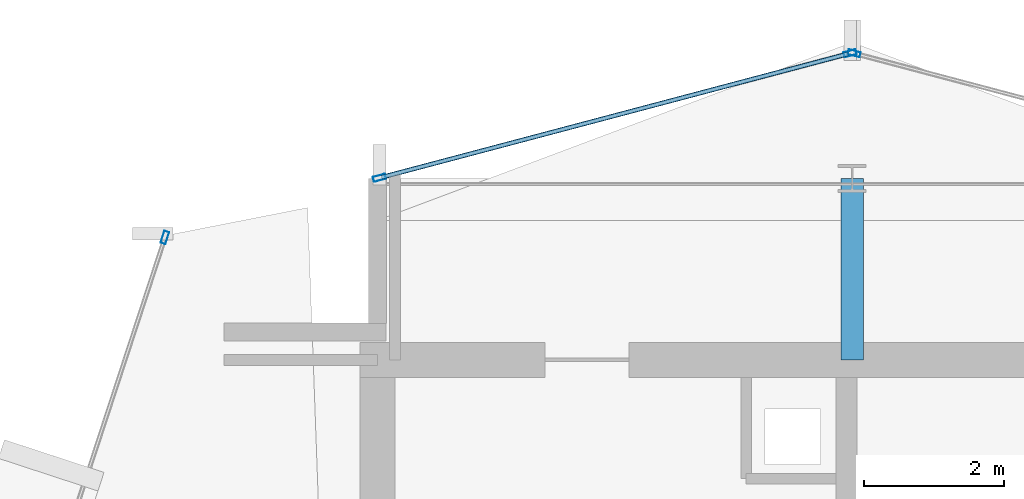
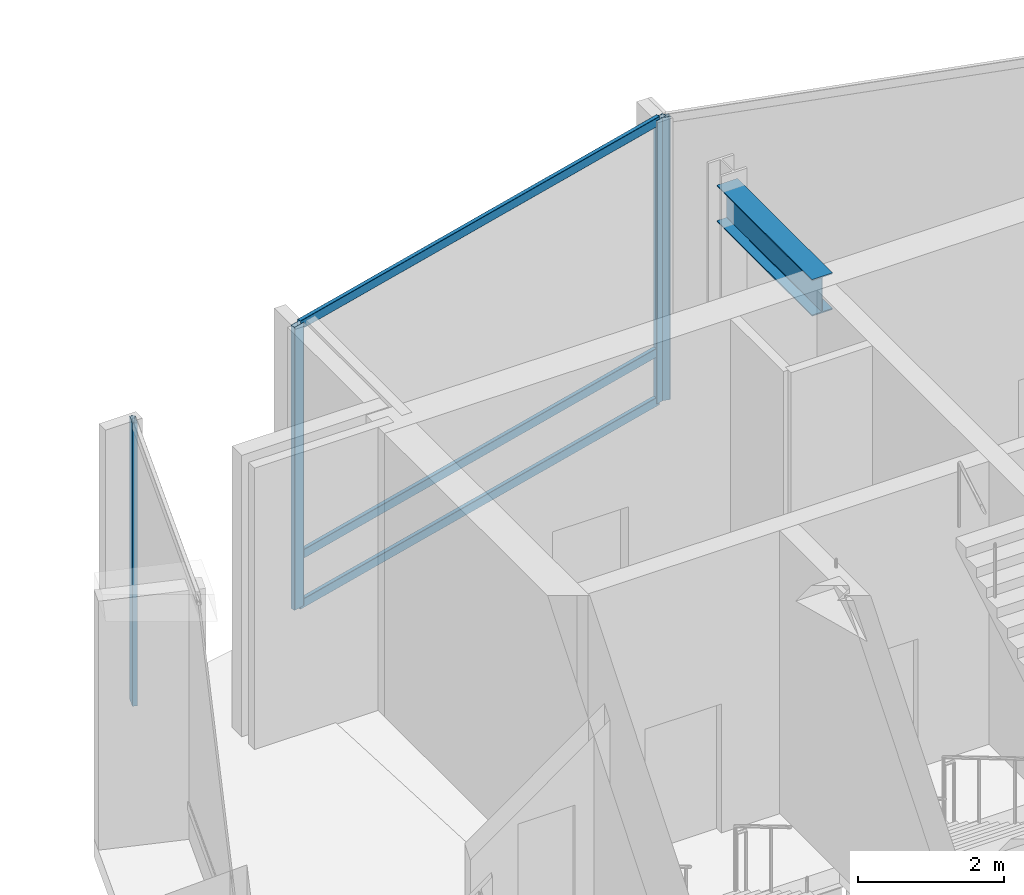
# One storey, part 16 of 28: 7 members, 1 beam, 3 elements without a shape of their own.
"""IFC4 building model written with IfcOpenShell, lengths in metres."""

from ifc_helpers import new_model, si_unit, direction, frame, origin, origin_2d, place, context, subcontext, project, spatial, hollow_rectangle, i_section, extrude, material, layer, layer_set, material_profile, profile_set, type_object, element, aggregate, save


model = new_model("IFC4")

# Units and contexts
model_context = context("Model", 3, precision=1e-05, world=origin(), true_north=direction((0.0, 1.0)))
body_context = subcontext(model_context, "Body", "Model", "MODEL_VIEW")
ifc_project = project(units=[si_unit("LENGTHUNIT", "METRE"), si_unit("AREAUNIT", "SQUARE_METRE"), si_unit("VOLUMEUNIT", "CUBIC_METRE"), si_unit("PLANEANGLEUNIT", "RADIAN"), si_unit("MASSUNIT", "GRAM", prefix="KILO")], contexts=[model_context])

# Site, building, storey
site_placement = place(None, origin())
site = spatial("IfcSite", under=ifc_project, at=site_placement, CompositionType="ELEMENT")
building_placement = place(site_placement, origin())
building = spatial("IfcBuilding", under=site, at=building_placement, Name="Solvaryn Broadcast Tower", CompositionType="ELEMENT")
storey_placement = place(building_placement, frame((0.0, 0.0, 201.199951171875)))
storey = spatial("IfcBuildingStorey", under=building, at=storey_placement, Name="L50", CompositionType="ELEMENT", Elevation=201.199951171875)

# Beam
ifc_material_1 = material(Name="Steel ASTM A992 Grade 50", Category="steel")
ifc_material_profile_1 = material_profile(ifc_material_1, i_section(OverallWidth=0.323974609375, OverallDepth=0.611083984375, WebThickness=0.0126953125, FlangeThickness=0.01904296875, FilletRadius=0.014892578125, at=origin_2d()))
ifc_profile_set_1 = profile_set([ifc_material_profile_1], Name="Steel ASTM A992 Grade 50")
beam_type = type_object("IfcBeamType", Name="BM-B1-W24X104", PredefinedType="BEAM", material=ifc_profile_set_1)
beam_placement = place(storey_placement, frame((18.0, 42.39990234375, 4.41455078125), z_axis=(0.0, 1.0, 0.0), x_axis=(-1.0, 0.0, 0.0)))
element("IfcBeam", 1, at=beam_placement, inside=storey, type_object=beam_type, Name="L50 Core Tie Beam CTW3", PredefinedType="BEAM", context=body_context, shape_type="SweptSolid", body=[
    extrude(i_section(OverallWidth=0.323974609375, OverallDepth=0.611083984375, WebThickness=0.0126953125, FlangeThickness=0.01904296875, FilletRadius=0.014892578125, at=origin_2d()), origin(), (0.0, 0.0, 1.0), 2.60009765625),
])

# Curtain wall, member
ifc_material_2 = material(Name="Aluminium and Terracotta Unitised Curtain Wall", Category="masonry")
ifc_layer = layer(ifc_material_2, 0.199951171875)
ifc_layer_set = layer_set([ifc_layer], Name="CW-SYS2-LOWMID")
curtain_wall_type = type_object("IfcCurtainWallType", Name="CW-SYS2-LOWMID", PredefinedType="NOTDEFINED", material=ifc_layer_set)
curtain_wall_1_placement = place(storey_placement, origin())
curtain_wall_1 = element("IfcCurtainWall", 2, at=curtain_wall_1_placement, inside=storey, type_object=curtain_wall_type, Name="L50 Curtain Wall DR1", PredefinedType="NOTDEFINED")
ifc_material_3 = material(Name="Anodised Aluminium 6063-T6", Category="aluminium")
ifc_material_profile_2 = material_profile(ifc_material_3, hollow_rectangle(XDim=0.074951171875, YDim=0.179931640625, WallThickness=0.00390625, InnerFilletRadius=0.00390625, OuterFilletRadius=0.008056640625, at=origin_2d()))
ifc_profile_set_2 = profile_set([ifc_material_profile_2], Name="Anodised Aluminium 6063-T6")
member_type_1 = type_object("IfcMemberType", Name="CW-MUL-180", PredefinedType="MULLION", material=ifc_profile_set_2)
member_1_placement = place(storey_placement, frame((8.153564453125, 44.153564453125, 0.0), z_axis=(0.0, 0.0, 1.0), x_axis=(0.950226902099, -0.311558717623, 0.0)))
member_1 = element("IfcMember", 3, at=member_1_placement, type_object=member_type_1, Name="CWS2 mullion 1", PredefinedType="MULLION", context=body_context, shape_type="SweptSolid", body=[
    extrude(hollow_rectangle(XDim=0.074951171875, YDim=0.179931640625, WallThickness=0.00390625, InnerFilletRadius=0.00390625, OuterFilletRadius=0.008056640625, at=origin_2d()), origin(), (0.0, 0.0, 1.0), 4.719970703125),
])
aggregate(curtain_wall_1, [member_1])

curtain_wall_2_placement = place(storey_placement, origin())
curtain_wall_2 = element("IfcCurtainWall", 4, at=curtain_wall_2_placement, inside=storey, type_object=curtain_wall_type, Name="L50 Curtain Wall NT1", PredefinedType="NOTDEFINED")
member_2_placement = place(storey_placement, frame((18.029052734375, 46.792236328125, 0.0), z_axis=(0.0, 0.0, 1.0), x_axis=(-0.25589256031, -0.966705227863, 0.0)))
member_2 = element("IfcMember", 5, at=member_2_placement, type_object=member_type_1, Name="CWS2 mullion 2", PredefinedType="MULLION", context=body_context, shape_type="SweptSolid", body=[
    extrude(hollow_rectangle(XDim=0.074951171875, YDim=0.179931640625, WallThickness=0.00390625, InnerFilletRadius=0.00390625, OuterFilletRadius=0.008056640625, at=origin_2d()), origin(), (0.0, 0.0, 1.0), 4.719970703125),
])
aggregate(curtain_wall_2, [member_2])

# Curtain wall, members
curtain_wall_3_placement = place(storey_placement, origin())
curtain_wall_3 = element("IfcCurtainWall", 6, at=curtain_wall_3_placement, inside=storey, type_object=curtain_wall_type, Name="L50 Curtain Wall NT2", PredefinedType="NOTDEFINED")
member_3_placement = place(storey_placement, frame((17.970947265625, 46.792236328125, 0.0), z_axis=(0.0, 0.0, 1.0), x_axis=(0.25589256031, -0.966705227863, 0.0)))
member_3 = element("IfcMember", 7, at=member_3_placement, type_object=member_type_1, Name="CWS2 mullion 1", PredefinedType="MULLION", context=body_context, shape_type="SweptSolid", body=[
    extrude(hollow_rectangle(XDim=0.074951171875, YDim=0.179931640625, WallThickness=0.00390625, InnerFilletRadius=0.00390625, OuterFilletRadius=0.008056640625, at=origin_2d()), origin(), (0.0, 0.0, 1.0), 4.719970703125),
])
member_4_placement = place(storey_placement, frame((11.22900390625, 45.007568359375, 0.0), z_axis=(0.0, 0.0, 1.0), x_axis=(0.25589256031, -0.966705227863, 0.0)))
member_4 = element("IfcMember", 8, at=member_4_placement, type_object=member_type_1, Name="CWS2 mullion 2", PredefinedType="MULLION", context=body_context, shape_type="SweptSolid", body=[
    extrude(hollow_rectangle(XDim=0.074951171875, YDim=0.179931640625, WallThickness=0.00390625, InnerFilletRadius=0.00390625, OuterFilletRadius=0.008056640625, at=origin_2d()), origin(), (0.0, 0.0, 1.0), 4.719970703125),
])
ifc_material_4 = material(Name="Anodised Aluminium 6063-T6", Category="aluminium")
ifc_material_profile_3 = material_profile(ifc_material_4, hollow_rectangle(XDim=0.06494140625, YDim=0.14990234375, WallThickness=0.00390625, InnerFilletRadius=0.00390625, OuterFilletRadius=0.008056640625, at=origin_2d()))
ifc_profile_set_3 = profile_set([ifc_material_profile_3], Name="Anodised Aluminium 6063-T6")
member_type_2 = type_object("IfcMemberType", Name="CW-TRN-150", PredefinedType="USERDEFINED", material=ifc_profile_set_3)
member_5_placement = place(storey_placement, frame((17.94189453125, 46.78466796875, 0.030029296875), z_axis=(-0.966703943301, -0.255897413051, 0.0), x_axis=(0.255897413051, -0.966703943301, 0.0)))
member_5 = element("IfcMember", 9, at=member_5_placement, type_object=member_type_2, Name="CWS2 transom 1.1", ObjectType="TRANSOM", PredefinedType="USERDEFINED", context=body_context, shape_type="SweptSolid", body=[
    extrude(hollow_rectangle(XDim=0.06494140625, YDim=0.14990234375, WallThickness=0.00390625, InnerFilletRadius=0.00390625, OuterFilletRadius=0.008056640625, at=origin_2d()), origin(), (0.0, 0.0, 1.0), 6.9140625),
])
member_6_placement = place(storey_placement, frame((17.94189453125, 46.78466796875, 0.85009765625), z_axis=(-0.966703943301, -0.255897413051, 0.0), x_axis=(0.255897413051, -0.966703943301, 0.0)))
member_6 = element("IfcMember", 10, at=member_6_placement, type_object=member_type_2, Name="CWS2 transom 1.2", ObjectType="TRANSOM", PredefinedType="USERDEFINED", context=body_context, shape_type="SweptSolid", body=[
    extrude(hollow_rectangle(XDim=0.06494140625, YDim=0.14990234375, WallThickness=0.00390625, InnerFilletRadius=0.00390625, OuterFilletRadius=0.008056640625, at=origin_2d()), origin(), (0.0, 0.0, 1.0), 6.9140625),
])
member_7_placement = place(storey_placement, frame((17.94189453125, 46.78466796875, 4.68994140625), z_axis=(-0.966703943301, -0.255897413051, 0.0), x_axis=(0.255897413051, -0.966703943301, 0.0)))
member_7 = element("IfcMember", 11, at=member_7_placement, type_object=member_type_2, Name="CWS2 transom 1.3", ObjectType="TRANSOM", PredefinedType="USERDEFINED", context=body_context, shape_type="SweptSolid", body=[
    extrude(hollow_rectangle(XDim=0.06494140625, YDim=0.14990234375, WallThickness=0.00390625, InnerFilletRadius=0.00390625, OuterFilletRadius=0.008056640625, at=origin_2d()), origin(), (0.0, 0.0, 1.0), 6.9140625),
])
aggregate(curtain_wall_3, [member_3, member_4, member_5, member_6, member_7])

save(model, "model.ifc")
